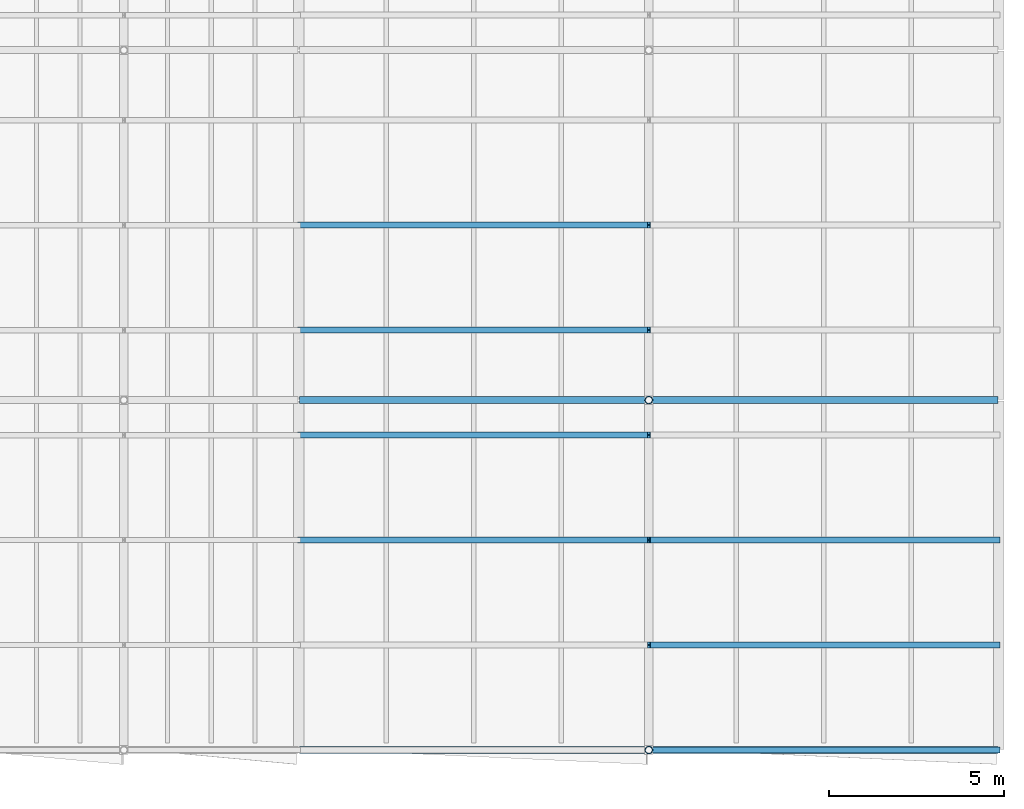
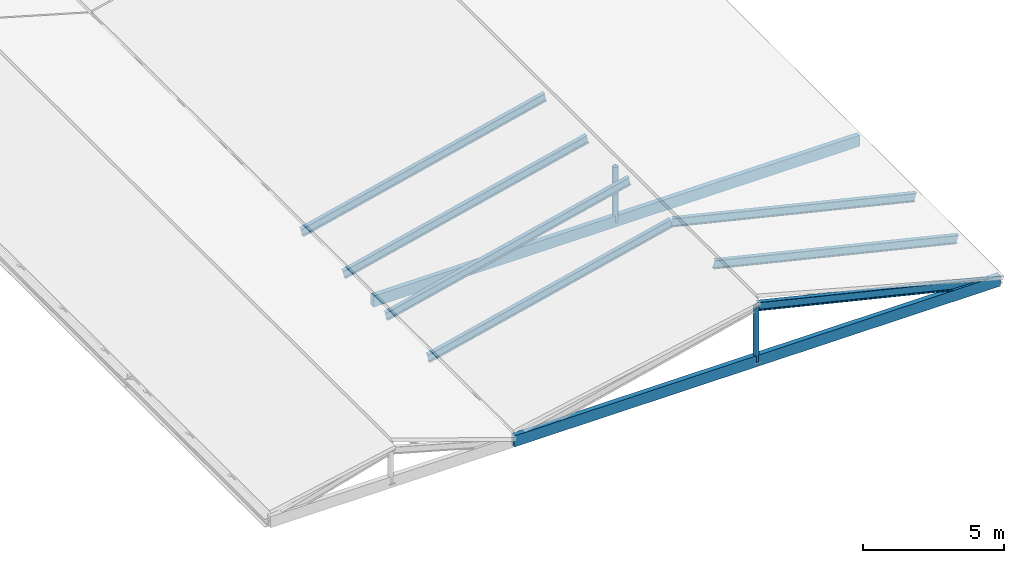
# One storey, part 60 of 90: 9 members, 2 beams.
"""IFC4 building model written with IfcOpenShell, lengths in metres."""

import ifcopenshell
import ifcopenshell.guid

model = None  # the IFC model being written
_history = None  # IfcOwnerHistory: only IFC2X3 demands one
_inside = {}  # id of a spatial element -> (the spatial element, [elements in it])
_under = {}  # id of a project, library or spatial element -> (it, [spatial elements below it])
_declared = {}  # id of a project -> (the project, [libraries it declares])
_typed = {}  # id of a type object -> (the type object, [elements of that type])
_made_of = {}  # id of a material, layer set ... -> (it, [elements and type objects made of it])


def new_model(schema):
    """Start an empty IFC model of exactly this schema.

    Asked for "IFC4X3", IfcOpenShell would pick the latest addendum, in which some entities
    have other attributes; the version numbers below select the first issue.
    IFC2X3 requires an IfcOwnerHistory on every rooted entity: one is made here for all.
    """
    global model, _history
    if schema == "IFC4X3":
        model = ifcopenshell.file(schema_version=(4, 3, 0, 0))
    else:
        model = ifcopenshell.file(schema=schema)
    _inside.clear()
    _under.clear()
    _declared.clear()
    _typed.clear()
    _made_of.clear()
    _history = None
    if model.schema == "IFC2X3":
        org = make("IfcOrganization", Name="unknown")
        user = make(
            "IfcPersonAndOrganization",
            ThePerson=make("IfcPerson", FamilyName="unknown"),
            TheOrganization=org,
        )
        app = make(
            "IfcApplication",
            ApplicationDeveloper=org,
            Version="unknown",
            ApplicationFullName="unknown",
            ApplicationIdentifier="unknown",
        )
        _history = make(
            "IfcOwnerHistory",
            OwningUser=user,
            OwningApplication=app,
            ChangeAction="ADDED",
            CreationDate=0,
        )
    return model


def make(cls, **values):
    """One entity of the class cls with the attributes given. An attribute that is None is left unset."""
    return model.create_entity(
        cls, **{name: value for name, value in values.items() if value is not None}
    )


def rooted(cls, **values):
    """An entity with a GlobalId (a new one), such as an element, a storey or a relation."""
    return make(cls, GlobalId=ifcopenshell.guid.new(), OwnerHistory=_history, **values)


def si_unit(unit_type, name, prefix=None):
    """IfcSIUnit, for example si_unit("LENGTHUNIT", "METRE", prefix="MILLI")."""
    return make("IfcSIUnit", UnitType=unit_type, Prefix=prefix, Name=name)


def assignment(units):
    """IfcUnitAssignment: the units of a project."""
    return None if units is None else make("IfcUnitAssignment", Units=units)


def point(xyz):
    """IfcCartesianPoint."""
    return None if xyz is None else make("IfcCartesianPoint", Coordinates=xyz)


def direction(xyz):
    """IfcDirection."""
    return None if xyz is None else make("IfcDirection", DirectionRatios=xyz)


def frame(location, z_axis=None, x_axis=None):
    """IfcAxis2Placement3D, a coordinate frame: its origin and axes. An axis left out is left unset."""
    return make(
        "IfcAxis2Placement3D",
        Location=point(location),
        Axis=direction(z_axis),
        RefDirection=direction(x_axis),
    )


def frame_2d(location, x_axis=None):
    """IfcAxis2Placement2D, a coordinate frame in the plane: its origin and x axis."""
    return make(
        "IfcAxis2Placement2D", Location=point(location), RefDirection=direction(x_axis)
    )


def origin():
    """The frame at (0, 0, 0) with its axes left unset."""
    return frame((0.0, 0.0, 0.0))


def origin_2d():
    """The frame at (0, 0) in the plane with its x axis left unset."""
    return frame_2d((0.0, 0.0))


def place(relative_to, where):
    """IfcLocalPlacement: puts the frame where relative to a parent placement (None: the world)."""
    return make(
        "IfcLocalPlacement", PlacementRelTo=relative_to, RelativePlacement=where
    )


def context(
    kind, dimensions, precision=None, world=None, true_north=None, identifier=None
):
    """IfcGeometricRepresentationContext, for example the 3D "Model" context."""
    return make(
        "IfcGeometricRepresentationContext",
        ContextIdentifier=identifier,
        ContextType=kind,
        CoordinateSpaceDimension=dimensions,
        Precision=precision,
        WorldCoordinateSystem=world,
        TrueNorth=true_north,
    )


def subcontext(parent, identifier, kind, view, scale=None):
    """IfcGeometricRepresentationSubContext, for example "Body" below "Model"."""
    return make(
        "IfcGeometricRepresentationSubContext",
        ContextIdentifier=identifier,
        ContextType=kind,
        ParentContext=parent,
        TargetScale=scale,
        TargetView=view,
    )


def project(units=None, contexts=None):
    """IfcProject with its units and contexts."""
    return rooted(
        "IfcProject",
        Name="project",
        RepresentationContexts=contexts,
        UnitsInContext=assignment(units),
    )


def spatial(cls, under=None, at=None, **own):
    """A site, building, storey or space (cls), placed at a placement, below another one or the project."""
    s = rooted(cls, ObjectPlacement=at, **own)
    if under is not None:
        _under.setdefault(under.id(), (under, []))[1].append(s)
    return s


def profile(cls, at=None, kind="AREA", **sizes):
    """A parametric profile (cls). Its sizes go by their IFC names, for example OverallWidth=200.0."""
    return make(cls, ProfileType=kind, Position=at, **sizes)


def rectangle(**sizes):
    """IfcRectangleProfileDef."""
    return profile("IfcRectangleProfileDef", **sizes)


def hollow_circle(**sizes):
    """IfcCircleHollowProfileDef."""
    return profile("IfcCircleHollowProfileDef", **sizes)


def i_section(**sizes):
    """IfcIShapeProfileDef."""
    return profile("IfcIShapeProfileDef", **sizes)


def extrude(swept, where, along, depth):
    """IfcExtrudedAreaSolid: the profile swept, set in the frame where, extruded along a direction by depth."""
    return make(
        "IfcExtrudedAreaSolid",
        SweptArea=swept,
        Position=where,
        ExtrudedDirection=direction(along),
        Depth=depth,
    )


def shape(context_of_items, identifier, shape_type, items):
    """IfcShapeRepresentation: the items that make up one representation, for example the "Body"."""
    return make(
        "IfcShapeRepresentation",
        ContextOfItems=context_of_items,
        RepresentationIdentifier=identifier,
        RepresentationType=shape_type,
        Items=items,
    )


def material(Name=None, Category=None):
    """IfcMaterial."""
    return make("IfcMaterial", Name=Name, Category=Category)


def material_profile(
    of_material, cross_section, Name=None, Category=None, Priority=None
):
    """IfcMaterialProfile: a cross section and its material."""
    return make(
        "IfcMaterialProfile",
        Name=Name,
        Material=of_material,
        Profile=cross_section,
        Priority=Priority,
        Category=Category,
    )


def profile_set(profiles, Name=None, composite=None):
    """IfcMaterialProfileSet."""
    return make(
        "IfcMaterialProfileSet",
        Name=Name,
        MaterialProfiles=profiles,
        CompositeProfile=composite,
    )


def made_of(thing, what):
    """Note that an element or type object is made of a material, layer set ...; save() writes the relation."""
    if what is not None:
        _made_of.setdefault(what.id(), (what, []))[1].append(thing)
    return thing


def type_object(cls, material=None, **own):
    """A type object (cls), such as IfcWallType, which elements share."""
    return made_of(rooted(cls, **own), material)


def element(
    cls,
    number,
    at=None,
    inside=None,
    cuts=None,
    type_object=None,
    material=None,
    context=None,
    identifier="Body",
    shape_type=None,
    held_by="IfcProductDefinitionShape",
    body=None,
    shapes=None,
    **own,
):
    """One element of the class cls, such as IfcWall. Its Tag is "e" and its number.

    at: its placement. inside: the storey or other place that contains it. cuts: it is an
    opening in that element (IfcRelVoidsElement). A single representation is given by context,
    identifier, shape_type and body (its items); several are given by shapes. held_by: the class
    of the entity that holds the representations. save() writes the other relations.
    """
    e = rooted(cls, Tag="e%d" % number, ObjectPlacement=at, **own)
    if body is not None:
        shapes = [shape(context, identifier, shape_type, body)]
    if shapes is not None:
        e.Representation = make(held_by, Representations=shapes)
    if inside is not None:
        _inside.setdefault(inside.id(), (inside, []))[1].append(e)
    if cuts is not None:
        rooted(
            "IfcRelVoidsElement", RelatingBuildingElement=cuts, RelatedOpeningElement=e
        )
    if type_object is not None:
        _typed.setdefault(type_object.id(), (type_object, []))[1].append(e)
    return made_of(e, material)


def aggregate(whole, parts):
    """IfcRelAggregates: a whole, such as a stair, and the parts it consists of."""
    return rooted("IfcRelAggregates", RelatingObject=whole, RelatedObjects=parts)


def save(model, path):
    """Write the relations noted so far, then the file.

    IfcRelAggregates (storeys below a building ...), IfcRelContainedInSpatialStructure (elements
    in a storey), IfcRelDefinesByType, IfcRelAssociatesMaterial and IfcRelDeclares: one each for
    every whole, place, type object, material and project.
    """
    for whole, parts in _under.values():
        aggregate(whole, parts)
    for where, things in _inside.values():
        rooted(
            "IfcRelContainedInSpatialStructure",
            RelatedElements=things,
            RelatingStructure=where,
        )
    for kind, things in _typed.values():
        rooted("IfcRelDefinesByType", RelatedObjects=things, RelatingType=kind)
    for what, things in _made_of.values():
        rooted("IfcRelAssociatesMaterial", RelatedObjects=things, RelatingMaterial=what)
    for by, libraries in _declared.values():
        rooted("IfcRelDeclares", RelatingContext=by, RelatedDefinitions=libraries)
    model.write(path)


model = new_model("IFC4")

# Units and contexts
model_context = context("Model", 3, precision=1e-05, world=origin(), true_north=direction((0.0, 1.0)))
body_context = subcontext(model_context, "Body", "Model", "MODEL_VIEW")
ifc_project = project(units=[si_unit("LENGTHUNIT", "METRE"), si_unit("AREAUNIT", "SQUARE_METRE"), si_unit("VOLUMEUNIT", "CUBIC_METRE"), si_unit("PLANEANGLEUNIT", "RADIAN"), si_unit("MASSUNIT", "GRAM", prefix="KILO"), si_unit("THERMODYNAMICTEMPERATUREUNIT", "KELVIN"), si_unit("POWERUNIT", "WATT")], contexts=[model_context])

# Site, building, storey
site_placement = place(None, origin())
site = spatial("IfcSite", under=ifc_project, at=site_placement, CompositionType="ELEMENT")
building_placement = place(site_placement, origin())
building = spatial("IfcBuilding", under=site, at=building_placement, Name="Korenveer Ferry Terminal", CompositionType="ELEMENT")
storey_placement = place(building_placement, frame((0.0, 0.0, 22.199951171875)))
storey = spatial("IfcBuildingStorey", under=building, at=storey_placement, Name="RF", CompositionType="ELEMENT", Elevation=22.199951171875)

# Members
ifc_material_1 = material(Name="Steel S355", Category="steel")
ifc_material_profile_1 = material_profile(ifc_material_1, i_section(OverallWidth=0.169921875, OverallDepth=0.360107421875, WebThickness=0.008056640625, FlangeThickness=0.0126953125, FilletRadius=0.01806640625, at=origin_2d()), Name="IPE 360")
ifc_profile_set_1 = profile_set([ifc_material_profile_1], Name="Steel S355")
member_type_1 = type_object("IfcMemberType", Name="STR-RAF-IPE360", PredefinedType="RAFTER", material=ifc_profile_set_1)
for number, where, z_axis, x_axis, name in (
    (1, (166.0, 20.0, -5.219970703125), (0.972389456854, 0.0, -0.233363973654), (0.0, 1.0, 0.0), "Pitched roof rafter 2"),
    (2, (166.0, 23.0, -5.219970703125), (0.972389456854, 0.0, -0.233363973654), (0.0, 1.0, 0.0), "Pitched roof rafter 4"),
    (3, (156.0, 26.0, -7.619873046875), (0.972389456854, 0.0, 0.233363973654), (0.0, 1.0, 0.0), "Pitched roof rafter 5"),
    (4, (166.0, 26.0, -5.219970703125), (0.972389456854, 0.0, -0.233363973654), (0.0, 1.0, 0.0), "Pitched roof rafter 6"),
    (5, (156.0, 29.0, -7.619873046875), (0.972389456854, 0.0, 0.233363973654), (0.0, 1.0, 0.0), "Pitched roof rafter 7"),
    (6, (156.0, 32.0, -7.619873046875), (0.972389456854, 0.0, 0.233363973654), (0.0, 1.0, 0.0), "Pitched roof rafter 9"),
    (7, (156.0, 35.0, -7.619873046875), (0.972389456854, 0.0, 0.233363973654), (0.0, 1.0, 0.0), "Pitched roof rafter 11"),
):
    element("IfcMember", number, at=place(storey_placement, frame(where, z_axis=z_axis, x_axis=x_axis)), inside=storey, type_object=member_type_1, Name=name, PredefinedType="RAFTER", context=body_context, shape_type="SweptSolid", body=[
        extrude(i_section(OverallWidth=0.169921875, OverallDepth=0.360107421875, WebThickness=0.008056640625, FlangeThickness=0.0126953125, FilletRadius=0.01806640625, at=origin_2d()), origin(), (0.0, 0.0, 1.0), 10.283935546875),
    ])

# Beams
ifc_material_2 = material(Name="Glulam GL28h", Category="wood")
ifc_material_profile_2 = material_profile(ifc_material_2, rectangle(XDim=0.199951171875, YDim=0.47998046875, at=origin_2d()), Name="GL 200x480")
ifc_profile_set_2 = profile_set([ifc_material_profile_2], Name="Glulam GL28h")
beam_type = type_object("IfcBeamType", Name="STR-RFG-GL200", PredefinedType="USERDEFINED", material=ifc_profile_set_2)
for number, where, z_axis, x_axis, name in (
    (8, (156.02001953125, 20.0, -7.56005859375), (1.0, 0.0, 0.0), (0.0, 1.0, 0.0), "Wing roof collar tie EAST 151"),
    (9, (156.02001953125, 30.0, -7.56005859375), (1.0, 0.0, 0.0), (0.0, 1.0, 0.0), "Wing roof collar tie EAST 152"),
):
    element("IfcBeam", number, at=place(storey_placement, frame(where, z_axis=z_axis, x_axis=x_axis)), inside=storey, type_object=beam_type, Name=name, ObjectType="ROOF GIRDER", PredefinedType="USERDEFINED", context=body_context, shape_type="SweptSolid", body=[
        extrude(rectangle(XDim=0.199951171875, YDim=0.47998046875, at=origin_2d()), origin(), (0.0, 0.0, 1.0), 19.9599609375),
    ])

# Members
ifc_material_profile_3 = material_profile(ifc_material_1, hollow_circle(Radius=0.109619140625, WallThickness=0.012451171875, at=origin_2d()), Name="CHS 219.1x12.5")
ifc_profile_set_3 = profile_set([ifc_material_profile_3], Name="Steel S355")
member_type_2 = type_object("IfcMemberType", Name="STR-STT-CHS219", PredefinedType="STRUT", material=ifc_profile_set_3)
for number, where, z_axis, x_axis, name in (
    (10, (166.0, 20.0, -7.619873046875), (0.0, 0.0, 1.0), (1.0, 0.0, 0.0), "Wing ridge strut STTWR-EAST-Y20"),
    (11, (166.0, 30.0, -7.619873046875), (0.0, 0.0, 1.0), (1.0, 0.0, 0.0), "Wing ridge strut STTWR-EAST-Y30"),
):
    element("IfcMember", number, at=place(storey_placement, frame(where, z_axis=z_axis, x_axis=x_axis)), inside=storey, type_object=member_type_2, Name=name, PredefinedType="STRUT", context=body_context, shape_type="SweptSolid", body=[
        extrude(hollow_circle(Radius=0.109619140625, WallThickness=0.012451171875, at=origin_2d()), origin(), (0.0, 0.0, 1.0), 2.39990234375),
    ])

save(model, "model.ifc")
